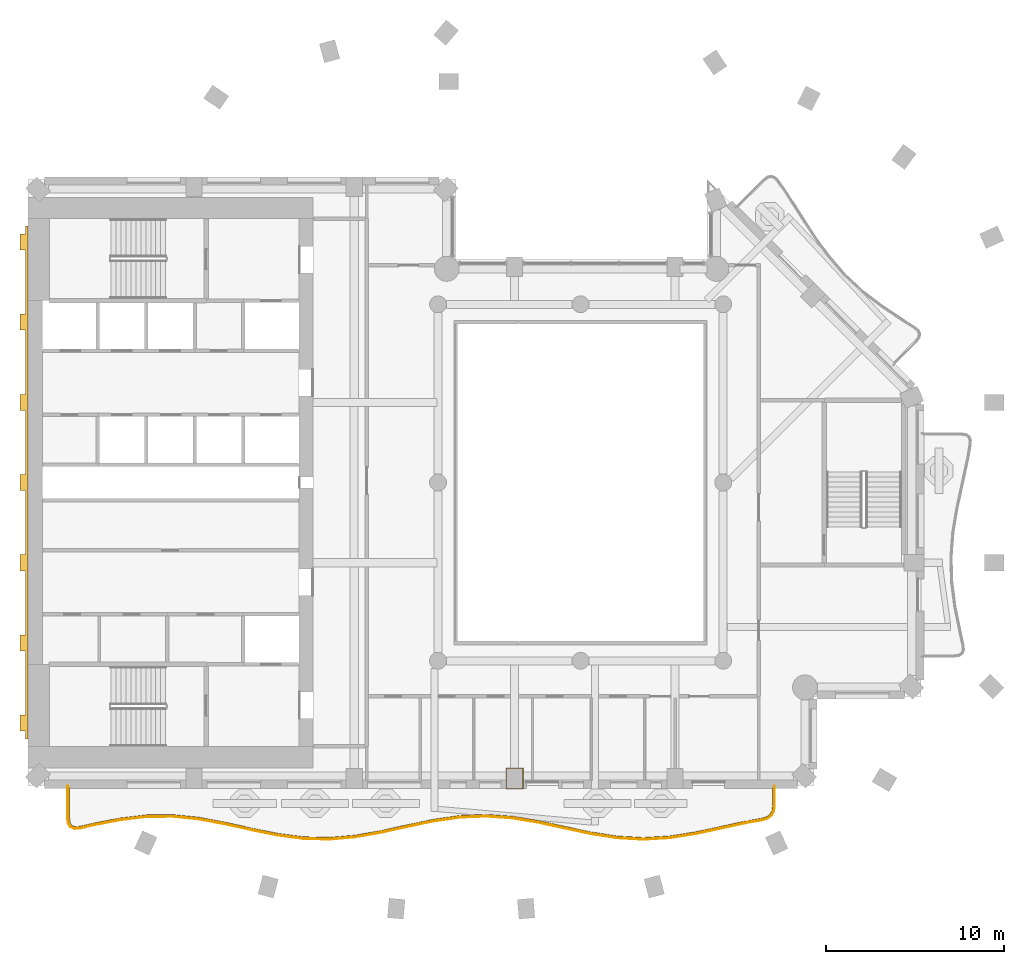
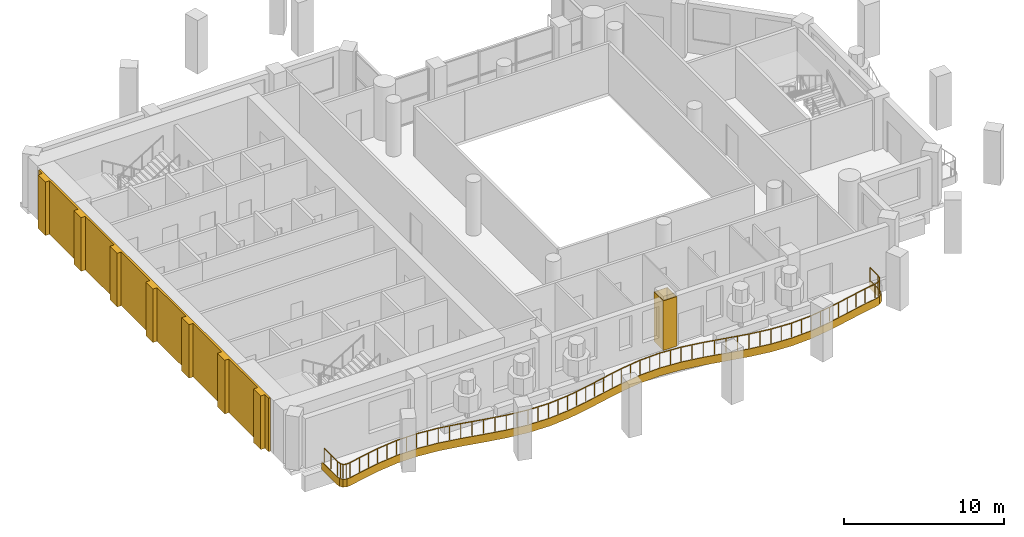
# One storey, part 11 of 15: 3 coverings, 1 railing.
"""IFC4 building model written with IfcOpenShell, lengths in metres."""

from ifc_helpers import new_model, si_unit, direction, frame, origin, origin_2d, place, context, subcontext, project, spatial, polyline, rectangle, outline, extrude, material, layer, layer_set, type_object, element, save


model = new_model("IFC4")

# Units and contexts
model_context = context("Model", 3, precision=1e-05, world=origin(), true_north=direction((0.0, 1.0)))
body_context = subcontext(model_context, "Body", "Model", "MODEL_VIEW")
ifc_project = project(units=[si_unit("LENGTHUNIT", "METRE"), si_unit("AREAUNIT", "SQUARE_METRE"), si_unit("VOLUMEUNIT", "CUBIC_METRE"), si_unit("PLANEANGLEUNIT", "RADIAN"), si_unit("MASSUNIT", "GRAM", prefix="KILO")], contexts=[model_context])

# Site, building, storey
site_placement = place(None, origin())
site = spatial("IfcSite", under=ifc_project, at=site_placement, CompositionType="ELEMENT")
building_placement = place(site_placement, origin())
building = spatial("IfcBuilding", under=site, at=building_placement, Name="Cypress Arch Tower", CompositionType="ELEMENT")
storey_placement = place(building_placement, frame((0.0, 0.0, 176.89990234375)))
storey = spatial("IfcBuildingStorey", under=building, at=storey_placement, Name="L38", CompositionType="ELEMENT", Elevation=176.89990234375)

# Covering
ifc_material_1 = material(Name="White powder-coated aluminium fascia", Category="aluminium")
ifc_layer_1 = layer(ifc_material_1, 0.050048828125)
ifc_layer_set_1 = layer_set([ifc_layer_1], Name="Balcony fascia BF50")
covering_type_1 = type_object("IfcCoveringType", Name="Balcony fascia BF50", PredefinedType="CLADDING", material=ifc_layer_set_1)
covering_1_placement = place(storey_placement, frame((0.0, 0.0, -0.599853515625)))
element("IfcCovering", 1, at=covering_1_placement, inside=storey, type_object=covering_type_1, Name="Balcony fascia L38-B01", PredefinedType="CLADDING", context=body_context, shape_type="SweptSolid", body=[
    extrude(outline(polyline([(11.89990234375, -18.1337890625), (11.85693359375, -18.44580078125), (11.723876953125, -18.692626953125), (11.502197265625, -18.8642578125), (11.20166015625, -18.957763671875), (10.392822265625, -19.091796875), (8.92724609375, -19.412353515625), (7.459228515625, -19.728515625), (5.98876953125, -19.959228515625), (4.516845703125, -20.044677734375), (3.044677734375, -19.962890625), (1.57421875, -19.735107421875), (0.10595703125, -19.419921875), (-1.359375, -19.0986328125), (-2.82275390625, -18.853271484375), (-4.2841796875, -18.74658203125), (-5.745361328125, -18.805419921875), (-7.2080078125, -19.014892578125), (-8.6728515625, -19.32177734375), (-10.14013671875, -19.647705078125), (-11.610107421875, -19.90869140625), (-13.081787109375, -20.037841796875), (-14.553955078125, -20.001220703125), (-16.02490234375, -19.808837890625), (-17.493896484375, -19.510009765625), (-18.9599609375, -19.181884765625), (-20.423828125, -18.908447265625), (-21.8857421875, -18.759521484375), (-23.346923828125, -18.77294921875), (-24.808837890625, -18.9453125), (-26.27294921875, -19.232666015625), (-27.08251953125, -19.414306640625), (-27.38623046875, -19.43798828125), (-27.61767578125, -19.34765625), (-27.756591796875, -19.1416015625), (-27.800048828125, -18.840087890625), (-27.800048828125, -17.0009765625), (-27.75, -17.0009765625), (-27.75, -18.83642578125), (-27.708740234375, -19.123046875), (-27.5849609375, -19.306640625), (-27.378662109375, -19.38720703125), (-27.090087890625, -19.36474609375), (-26.283447265625, -19.18359375), (-24.816650390625, -18.895751953125), (-23.35009765625, -18.722900390625), (-21.88330078125, -18.70947265625), (-20.416748046875, -18.859130859375), (-18.949951171875, -19.133056640625), (-17.4833984375, -19.461181640625), (-16.0166015625, -19.759521484375), (-14.550048828125, -19.951416015625), (-13.083251953125, -19.98779296875), (-11.61669921875, -19.859130859375), (-10.14990234375, -19.5986328125), (-8.683349609375, -19.27294921875), (-7.216552734375, -18.965576171875), (-5.75, -18.75537109375), (-4.283447265625, -18.696533203125), (-2.816650390625, -18.8037109375), (-1.35009765625, -19.049560546875), (0.11669921875, -19.37109375), (1.583251953125, -19.685791015625), (3.050048828125, -19.9130859375), (4.5166015625, -19.99462890625), (5.9833984375, -19.909423828125), (7.449951171875, -19.679443359375), (8.916748046875, -19.363525390625), (10.38330078125, -19.042724609375), (11.18994140625, -18.908935546875), (11.478759765625, -18.8193359375), (11.68505859375, -18.65966796875), (11.808837890625, -18.429931640625), (11.85009765625, -18.13037109375), (11.85009765625, -17.0009765625), (11.89990234375, -17.0009765625), (11.89990234375, -18.1337890625)])), origin(), (0.0, 0.0, 1.0), 0.599853515625),
])

# Railing
ifc_material_2 = material(Name="Powder-coated steel posts and rods, 100 mm clear between rods", Category="steel")
railing_type = type_object("IfcRailingType", Name="Balcony guard GR1100", PredefinedType="GUARDRAIL", material=ifc_material_2)
railing_placement = place(storey_placement, frame((11.800048828125, -17.14990234375, 0.0)))
element("IfcRailing", 2, at=railing_placement, inside=storey, type_object=railing_type, Name="Balcony guard L38-B01", PredefinedType="GUARDRAIL", context=body_context, shape_type="SweptSolid", body=[
    extrude(rectangle(XDim=0.050048828125, YDim=0.050048828125, at=origin_2d()), frame((0.0, 0.0, 1.0751953125), z_axis=(0.0, -1.0, 0.0), x_axis=(1.0, 0.0, 0.0)), (0.0, 0.0, 1.0), 0.97705078125),
    extrude(rectangle(XDim=0.050048828125, YDim=0.050048828125, at=origin_2d()), frame((0.0, -0.97705078125, 1.0751953125), z_axis=(-0.136352574754, -0.990660373366, 0.0), x_axis=(0.990660373366, -0.136352574754, 0.0)), (0.0, 0.0, 1.0), 0.2900390625),
    extrude(rectangle(XDim=0.050048828125, YDim=0.050048828125, at=origin_2d()), frame((-0.03955078125, -1.264404296875, 1.0751953125), z_axis=(-0.474945049581, -0.880015454341, 0.0), x_axis=(0.880015454341, -0.474945049581, 0.0)), (0.0, 0.0, 1.0), 0.240966796875),
    extrude(rectangle(XDim=0.050048828125, YDim=0.050048828125, at=origin_2d()), frame((-0.154052734375, -1.4765625, 1.0751953125), z_axis=(-0.790549812284, -0.61239774191, 0.0), x_axis=(0.61239774191, -0.790549812284, 0.0)), (0.0, 0.0, 1.0), 0.2412109375),
    extrude(rectangle(XDim=0.050048828125, YDim=0.050048828125, at=origin_2d()), frame((-0.3447265625, -1.624267578125, 1.0751953125), z_axis=(-0.955047693382, -0.296452194066, 0.0), x_axis=(0.296452194066, -0.955047693382, 0.0)), (0.0, 0.0, 1.0), 0.289794921875),
    extrude(rectangle(XDim=0.050048828125, YDim=0.050048828125, at=origin_2d()), frame((-0.62158203125, -1.710205078125, 1.0751953125), z_axis=(-0.986506940058, -0.163719446666, 0.0), x_axis=(0.163719446666, -0.986506940058, 0.0)), (0.0, 0.0, 1.0), 0.815673828125),
    extrude(rectangle(XDim=0.050048828125, YDim=0.050048828125, at=origin_2d()), frame((-1.42626953125, -1.84375, 1.0751953125), z_axis=(-0.976904257453, -0.213677494769, 0.0), x_axis=(0.213677494769, -0.976904257453, 0.0)), (0.0, 0.0, 1.0), 1.50244140625),
    extrude(rectangle(XDim=0.050048828125, YDim=0.050048828125, at=origin_2d()), frame((-2.89404296875, -2.164794921875, 1.0751953125), z_axis=(-0.977599317544, -0.210474640604, 0.0), x_axis=(0.210474640604, -0.977599317544, 0.0)), (0.0, 0.0, 1.0), 1.498779296875),
    extrude(rectangle(XDim=0.050048828125, YDim=0.050048828125, at=origin_2d()), frame((-4.359130859375, -2.480224609375, 1.0751953125), z_axis=(-0.987917546597, -0.154980389486, 0.0), x_axis=(0.154980389486, -0.987917546597, 0.0)), (0.0, 0.0, 1.0), 1.480712890625),
    extrude(rectangle(XDim=0.050048828125, YDim=0.050048828125, at=origin_2d()), frame((-5.822021484375, -2.709716796875, 1.0751953125), z_axis=(-0.998314394605, -0.058037656085, 0.0), x_axis=(0.058037656085, -0.998314394605, 0.0)), (0.0, 0.0, 1.0), 1.4638671875),
    extrude(rectangle(XDim=0.050048828125, YDim=0.050048828125, at=origin_2d()), frame((-7.283447265625, -2.794677734375, 1.0751953125), z_axis=(-0.998456244659, 0.055543924068, 0.0), x_axis=(-0.055543924068, -0.998456244659, 0.0)), (0.0, 0.0, 1.0), 1.463623046875),
    extrude(rectangle(XDim=0.050048828125, YDim=0.050048828125, at=origin_2d()), frame((-8.744873046875, -2.71337890625, 1.0751953125), z_axis=(-0.988214806358, 0.153073500301, 0.0), x_axis=(-0.153073500301, -0.988214806358, 0.0)), (0.0, 0.0, 1.0), 1.47998046875),
    extrude(rectangle(XDim=0.050048828125, YDim=0.050048828125, at=origin_2d()), frame((-10.20751953125, -2.48681640625, 1.0751953125), z_axis=(-0.977740388906, 0.209818330708, 0.0), x_axis=(-0.209818330708, -0.977740388906, 0.0)), (0.0, 0.0, 1.0), 1.498779296875),
    extrude(rectangle(XDim=0.050048828125, YDim=0.050048828125, at=origin_2d()), frame((-11.6728515625, -2.17236328125, 1.0751953125), z_axis=(-0.976802400131, 0.214142641945, 0.0), x_axis=(-0.214142641945, -0.976802400131, 0.0)), (0.0, 0.0, 1.0), 1.502685546875),
    extrude(rectangle(XDim=0.050048828125, YDim=0.050048828125, at=origin_2d()), frame((-13.140625, -1.8505859375, 1.0751953125), z_axis=(-0.986225210983, 0.165408080885, 0.0), x_axis=(-0.165408080885, -0.986225210983, 0.0)), (0.0, 0.0, 1.0), 1.49072265625),
    extrude(rectangle(XDim=0.050048828125, YDim=0.050048828125, at=origin_2d()), frame((-14.61083984375, -1.60400390625, 1.0751953125), z_axis=(-0.997346630857, 0.07279902415, 0.0), x_axis=(-0.07279902415, -0.997346630857, 0.0)), (0.0, 0.0, 1.0), 1.4755859375),
    extrude(rectangle(XDim=0.050048828125, YDim=0.050048828125, at=origin_2d()), frame((-16.08251953125, -1.49658203125, 1.0751953125), z_axis=(-0.999195655896, -0.040100389507, 0.0), x_axis=(0.040100389507, -0.999195655896, 0.0)), (0.0, 0.0, 1.0), 1.473388671875),
    extrude(rectangle(XDim=0.050048828125, YDim=0.050048828125, at=origin_2d()), frame((-17.5546875, -1.5556640625, 1.0751953125), z_axis=(-0.989893545922, -0.141812438601, 0.0), x_axis=(0.141812438601, -0.989893545922, 0.0)), (0.0, 0.0, 1.0), 1.48583984375),
    extrude(rectangle(XDim=0.050048828125, YDim=0.050048828125, at=origin_2d()), frame((-19.025390625, -1.766357421875, 1.0751953125), z_axis=(-0.97872380157, -0.205182163554, 0.0), x_axis=(0.205182163554, -0.97872380157, 0.0)), (0.0, 0.0, 1.0), 1.50048828125),
    extrude(rectangle(XDim=0.050048828125, YDim=0.050048828125, at=origin_2d()), frame((-20.493896484375, -2.07421875, 1.0751953125), z_axis=(-0.976236762029, -0.216706678399, 0.0), x_axis=(0.216706678399, -0.976236762029, 0.0)), (0.0, 0.0, 1.0), 1.501708984375),
    extrude(rectangle(XDim=0.050048828125, YDim=0.050048828125, at=origin_2d()), frame((-21.9599609375, -2.399658203125, 1.0751953125), z_axis=(-0.984579487517, -0.174937796831, 0.0), x_axis=(0.174937796831, -0.984579487517, 0.0)), (0.0, 0.0, 1.0), 1.486328125),
    extrude(rectangle(XDim=0.050048828125, YDim=0.050048828125, at=origin_2d()), frame((-23.42333984375, -2.65966796875, 1.0751953125), z_axis=(-0.99617726461, -0.087354779342, 0.0), x_axis=(0.087354779342, -0.99617726461, 0.0)), (0.0, 0.0, 1.0), 1.46728515625),
    extrude(rectangle(XDim=0.050048828125, YDim=0.050048828125, at=origin_2d()), frame((-24.885009765625, -2.787841796875, 1.0751953125), z_axis=(-0.999694391096, 0.02472093064, 0.0), x_axis=(-0.02472093064, -0.999694391096, 0.0)), (0.0, 0.0, 1.0), 1.461669921875),
    extrude(rectangle(XDim=0.050048828125, YDim=0.050048828125, at=origin_2d()), frame((-26.34619140625, -2.751708984375, 1.0751953125), z_axis=(-0.991543085213, 0.129777926345, 0.0), x_axis=(-0.129777926345, -0.991543085213, 0.0)), (0.0, 0.0, 1.0), 1.474853515625),
    extrude(rectangle(XDim=0.050048828125, YDim=0.050048828125, at=origin_2d()), frame((-27.80859375, -2.560302734375, 1.0751953125), z_axis=(-0.979934498881, 0.199319788035, 0.0), x_axis=(-0.199319788035, -0.979934498881, 0.0)), (0.0, 0.0, 1.0), 1.494384765625),
    extrude(rectangle(XDim=0.050048828125, YDim=0.050048828125, at=origin_2d()), frame((-29.27294921875, -2.262451171875, 1.0751953125), z_axis=(-0.975853474327, 0.218426181223, 0.0), x_axis=(-0.218426181223, -0.975853474327, 0.0)), (0.0, 0.0, 1.0), 1.50341796875),
    extrude(rectangle(XDim=0.050048828125, YDim=0.050048828125, at=origin_2d()), frame((-30.739990234375, -1.93408203125, 1.0751953125), z_axis=(-0.983006891233, 0.183568656878, 0.0), x_axis=(-0.183568656878, -0.983006891233, 0.0)), (0.0, 0.0, 1.0), 1.494873046875),
    extrude(rectangle(XDim=0.050048828125, YDim=0.050048828125, at=origin_2d()), frame((-32.20947265625, -1.65966796875, 1.0751953125), z_axis=(-0.9948524941, 0.101333681383, 0.0), x_axis=(-0.101333681383, -0.9948524941, 0.0)), (0.0, 0.0, 1.0), 1.479248046875),
    extrude(rectangle(XDim=0.050048828125, YDim=0.050048828125, at=origin_2d()), frame((-33.68115234375, -1.509765625, 1.0751953125), z_axis=(-0.999958405715, -0.009120681976, 0.0), x_axis=(0.009120681976, -0.999958405715, 0.0)), (0.0, 0.0, 1.0), 1.47216796875),
    extrude(rectangle(XDim=0.050048828125, YDim=0.050048828125, at=origin_2d()), frame((-35.1533203125, -1.523193359375, 1.0751953125), z_axis=(-0.993130340015, -0.117013365651, 0.0), x_axis=(0.117013365651, -0.993130340015, 0.0)), (0.0, 0.0, 1.0), 1.4814453125),
    extrude(rectangle(XDim=0.050048828125, YDim=0.050048828125, at=origin_2d()), frame((-36.62451171875, -1.696533203125, 1.0751953125), z_axis=(-0.981282948676, -0.192571479293, 0.0), x_axis=(0.192571479293, -0.981282948676, 0.0)), (0.0, 0.0, 1.0), 1.497314453125),
    extrude(rectangle(XDim=0.050048828125, YDim=0.050048828125, at=origin_2d()), frame((-38.09375, -1.98486328125, 1.0751953125), z_axis=(-0.975717544819, -0.219032583724, 0.0), x_axis=(0.219032583724, -0.975717544819, 0.0)), (0.0, 0.0, 1.0), 0.82373046875),
    extrude(rectangle(XDim=0.050048828125, YDim=0.050048828125, at=origin_2d()), frame((-38.8974609375, -2.165283203125, 1.0751953125), z_axis=(-0.997007254506, -0.077308049146, 0.0), x_axis=(0.077308049146, -0.997007254506, 0.0)), (0.0, 0.0, 1.0), 0.274658203125),
    extrude(rectangle(XDim=0.050048828125, YDim=0.050048828125, at=origin_2d()), frame((-39.17138671875, -2.1865234375, 1.0751953125), z_axis=(-0.931650298969, 0.363356189476, 0.0), x_axis=(-0.363356189476, -0.931650298969, 0.0)), (0.0, 0.0, 1.0), 0.194091796875),
    extrude(rectangle(XDim=0.050048828125, YDim=0.050048828125, at=origin_2d()), frame((-39.352294921875, -2.115966796875, 1.0751953125), z_axis=(-0.559041255782, 0.829139840036, 0.0), x_axis=(-0.829139840036, -0.559041255782, 0.0)), (0.0, 0.0, 1.0), 0.1943359375),
    extrude(rectangle(XDim=0.050048828125, YDim=0.050048828125, at=origin_2d()), frame((-39.4609375, -1.954833984375, 1.0751953125), z_axis=(-0.142167696448, 0.989842586519, 0.0), x_axis=(-0.989842586519, -0.142167696448, 0.0)), (0.0, 0.0, 1.0), 0.274658203125),
    extrude(rectangle(XDim=0.050048828125, YDim=0.050048828125, at=origin_2d()), frame((-39.5, -1.682861328125, 1.0751953125), z_axis=(0.0, 1.0, 0.0), x_axis=(-1.0, 0.0, 0.0)), (0.0, 0.0, 1.0), 1.682861328125),
    extrude(rectangle(XDim=0.0400390625, YDim=0.0400390625, at=origin_2d()), origin(), (0.0, 0.0, 1.0), 1.050048828125),
    extrude(rectangle(XDim=0.0400390625, YDim=0.0400390625, at=origin_2d()), frame((0.0, -0.97705078125, 0.0)), (0.0, 0.0, 1.0), 1.050048828125),
    extrude(rectangle(XDim=0.0400390625, YDim=0.0400390625, at=origin_2d()), frame((-0.03955078125, -1.264404296875, 0.0)), (0.0, 0.0, 1.0), 1.050048828125),
    extrude(rectangle(XDim=0.0400390625, YDim=0.0400390625, at=origin_2d()), frame((-0.154052734375, -1.4765625, 0.0)), (0.0, 0.0, 1.0), 1.050048828125),
    extrude(rectangle(XDim=0.0400390625, YDim=0.0400390625, at=origin_2d()), frame((-0.3447265625, -1.624267578125, 0.0)), (0.0, 0.0, 1.0), 1.050048828125),
    extrude(rectangle(XDim=0.0400390625, YDim=0.0400390625, at=origin_2d()), frame((-0.62158203125, -1.710205078125, 0.0)), (0.0, 0.0, 1.0), 1.050048828125),
    extrude(rectangle(XDim=0.0400390625, YDim=0.0400390625, at=origin_2d()), frame((-1.42626953125, -1.84375, 0.0)), (0.0, 0.0, 1.0), 1.050048828125),
    extrude(rectangle(XDim=0.0400390625, YDim=0.0400390625, at=origin_2d()), frame((-2.16015625, -2.00439453125, 0.0)), (0.0, 0.0, 1.0), 1.050048828125),
    extrude(rectangle(XDim=0.0400390625, YDim=0.0400390625, at=origin_2d()), frame((-2.89404296875, -2.164794921875, 0.0)), (0.0, 0.0, 1.0), 1.050048828125),
    extrude(rectangle(XDim=0.0400390625, YDim=0.0400390625, at=origin_2d()), frame((-3.62646484375, -2.322509765625, 0.0)), (0.0, 0.0, 1.0), 1.050048828125),
    extrude(rectangle(XDim=0.0400390625, YDim=0.0400390625, at=origin_2d()), frame((-4.359130859375, -2.480224609375, 0.0)), (0.0, 0.0, 1.0), 1.050048828125),
    extrude(rectangle(XDim=0.0400390625, YDim=0.0400390625, at=origin_2d()), frame((-5.090576171875, -2.594970703125, 0.0)), (0.0, 0.0, 1.0), 1.050048828125),
    extrude(rectangle(XDim=0.0400390625, YDim=0.0400390625, at=origin_2d()), frame((-5.822021484375, -2.709716796875, 0.0)), (0.0, 0.0, 1.0), 1.050048828125),
    extrude(rectangle(XDim=0.0400390625, YDim=0.0400390625, at=origin_2d()), frame((-6.552734375, -2.752197265625, 0.0)), (0.0, 0.0, 1.0), 1.050048828125),
    extrude(rectangle(XDim=0.0400390625, YDim=0.0400390625, at=origin_2d()), frame((-7.283447265625, -2.794677734375, 0.0)), (0.0, 0.0, 1.0), 1.050048828125),
    extrude(rectangle(XDim=0.0400390625, YDim=0.0400390625, at=origin_2d()), frame((-8.01416015625, -2.75390625, 0.0)), (0.0, 0.0, 1.0), 1.050048828125),
    extrude(rectangle(XDim=0.0400390625, YDim=0.0400390625, at=origin_2d()), frame((-8.744873046875, -2.71337890625, 0.0)), (0.0, 0.0, 1.0), 1.050048828125),
    extrude(rectangle(XDim=0.0400390625, YDim=0.0400390625, at=origin_2d()), frame((-9.47607421875, -2.60009765625, 0.0)), (0.0, 0.0, 1.0), 1.050048828125),
    extrude(rectangle(XDim=0.0400390625, YDim=0.0400390625, at=origin_2d()), frame((-10.20751953125, -2.48681640625, 0.0)), (0.0, 0.0, 1.0), 1.050048828125),
    extrude(rectangle(XDim=0.0400390625, YDim=0.0400390625, at=origin_2d()), frame((-10.940185546875, -2.32958984375, 0.0)), (0.0, 0.0, 1.0), 1.050048828125),
    extrude(rectangle(XDim=0.0400390625, YDim=0.0400390625, at=origin_2d()), frame((-11.6728515625, -2.17236328125, 0.0)), (0.0, 0.0, 1.0), 1.050048828125),
    extrude(rectangle(XDim=0.0400390625, YDim=0.0400390625, at=origin_2d()), frame((-12.40673828125, -2.011474609375, 0.0)), (0.0, 0.0, 1.0), 1.050048828125),
    extrude(rectangle(XDim=0.0400390625, YDim=0.0400390625, at=origin_2d()), frame((-13.140625, -1.8505859375, 0.0)), (0.0, 0.0, 1.0), 1.050048828125),
    extrude(rectangle(XDim=0.0400390625, YDim=0.0400390625, at=origin_2d()), frame((-13.875732421875, -1.727294921875, 0.0)), (0.0, 0.0, 1.0), 1.050048828125),
    extrude(rectangle(XDim=0.0400390625, YDim=0.0400390625, at=origin_2d()), frame((-14.61083984375, -1.60400390625, 0.0)), (0.0, 0.0, 1.0), 1.050048828125),
    extrude(rectangle(XDim=0.0400390625, YDim=0.0400390625, at=origin_2d()), frame((-15.3466796875, -1.55029296875, 0.0)), (0.0, 0.0, 1.0), 1.050048828125),
    extrude(rectangle(XDim=0.0400390625, YDim=0.0400390625, at=origin_2d()), frame((-16.08251953125, -1.49658203125, 0.0)), (0.0, 0.0, 1.0), 1.050048828125),
    extrude(rectangle(XDim=0.0400390625, YDim=0.0400390625, at=origin_2d()), frame((-16.818603515625, -1.526123046875, 0.0)), (0.0, 0.0, 1.0), 1.050048828125),
    extrude(rectangle(XDim=0.0400390625, YDim=0.0400390625, at=origin_2d()), frame((-17.5546875, -1.5556640625, 0.0)), (0.0, 0.0, 1.0), 1.050048828125),
    extrude(rectangle(XDim=0.0400390625, YDim=0.0400390625, at=origin_2d()), frame((-18.2900390625, -1.6611328125, 0.0)), (0.0, 0.0, 1.0), 1.050048828125),
    extrude(rectangle(XDim=0.0400390625, YDim=0.0400390625, at=origin_2d()), frame((-19.025390625, -1.766357421875, 0.0)), (0.0, 0.0, 1.0), 1.050048828125),
    extrude(rectangle(XDim=0.0400390625, YDim=0.0400390625, at=origin_2d()), frame((-19.759765625, -1.92041015625, 0.0)), (0.0, 0.0, 1.0), 1.050048828125),
    extrude(rectangle(XDim=0.0400390625, YDim=0.0400390625, at=origin_2d()), frame((-20.493896484375, -2.07421875, 0.0)), (0.0, 0.0, 1.0), 1.050048828125),
    extrude(rectangle(XDim=0.0400390625, YDim=0.0400390625, at=origin_2d()), frame((-21.22705078125, -2.23681640625, 0.0)), (0.0, 0.0, 1.0), 1.050048828125),
    extrude(rectangle(XDim=0.0400390625, YDim=0.0400390625, at=origin_2d()), frame((-21.9599609375, -2.399658203125, 0.0)), (0.0, 0.0, 1.0), 1.050048828125),
    extrude(rectangle(XDim=0.0400390625, YDim=0.0400390625, at=origin_2d()), frame((-22.691650390625, -2.52978515625, 0.0)), (0.0, 0.0, 1.0), 1.050048828125),
    extrude(rectangle(XDim=0.0400390625, YDim=0.0400390625, at=origin_2d()), frame((-23.42333984375, -2.65966796875, 0.0)), (0.0, 0.0, 1.0), 1.050048828125),
    extrude(rectangle(XDim=0.0400390625, YDim=0.0400390625, at=origin_2d()), frame((-24.154296875, -2.7236328125, 0.0)), (0.0, 0.0, 1.0), 1.050048828125),
    extrude(rectangle(XDim=0.0400390625, YDim=0.0400390625, at=origin_2d()), frame((-24.885009765625, -2.787841796875, 0.0)), (0.0, 0.0, 1.0), 1.050048828125),
    extrude(rectangle(XDim=0.0400390625, YDim=0.0400390625, at=origin_2d()), frame((-25.61572265625, -2.769775390625, 0.0)), (0.0, 0.0, 1.0), 1.050048828125),
    extrude(rectangle(XDim=0.0400390625, YDim=0.0400390625, at=origin_2d()), frame((-26.34619140625, -2.751708984375, 0.0)), (0.0, 0.0, 1.0), 1.050048828125),
    extrude(rectangle(XDim=0.0400390625, YDim=0.0400390625, at=origin_2d()), frame((-27.077392578125, -2.656005859375, 0.0)), (0.0, 0.0, 1.0), 1.050048828125),
    extrude(rectangle(XDim=0.0400390625, YDim=0.0400390625, at=origin_2d()), frame((-27.80859375, -2.560302734375, 0.0)), (0.0, 0.0, 1.0), 1.050048828125),
    extrude(rectangle(XDim=0.0400390625, YDim=0.0400390625, at=origin_2d()), frame((-28.540771484375, -2.411376953125, 0.0)), (0.0, 0.0, 1.0), 1.050048828125),
    extrude(rectangle(XDim=0.0400390625, YDim=0.0400390625, at=origin_2d()), frame((-29.27294921875, -2.262451171875, 0.0)), (0.0, 0.0, 1.0), 1.050048828125),
    extrude(rectangle(XDim=0.0400390625, YDim=0.0400390625, at=origin_2d()), frame((-30.00634765625, -2.09814453125, 0.0)), (0.0, 0.0, 1.0), 1.050048828125),
    extrude(rectangle(XDim=0.0400390625, YDim=0.0400390625, at=origin_2d()), frame((-30.739990234375, -1.93408203125, 0.0)), (0.0, 0.0, 1.0), 1.050048828125),
    extrude(rectangle(XDim=0.0400390625, YDim=0.0400390625, at=origin_2d()), frame((-31.474609375, -1.796875, 0.0)), (0.0, 0.0, 1.0), 1.050048828125),
    extrude(rectangle(XDim=0.0400390625, YDim=0.0400390625, at=origin_2d()), frame((-32.20947265625, -1.65966796875, 0.0)), (0.0, 0.0, 1.0), 1.050048828125),
    extrude(rectangle(XDim=0.0400390625, YDim=0.0400390625, at=origin_2d()), frame((-32.9453125, -1.584716796875, 0.0)), (0.0, 0.0, 1.0), 1.050048828125),
    extrude(rectangle(XDim=0.0400390625, YDim=0.0400390625, at=origin_2d()), frame((-33.68115234375, -1.509765625, 0.0)), (0.0, 0.0, 1.0), 1.050048828125),
    extrude(rectangle(XDim=0.0400390625, YDim=0.0400390625, at=origin_2d()), frame((-34.417236328125, -1.5166015625, 0.0)), (0.0, 0.0, 1.0), 1.050048828125),
    extrude(rectangle(XDim=0.0400390625, YDim=0.0400390625, at=origin_2d()), frame((-35.1533203125, -1.523193359375, 0.0)), (0.0, 0.0, 1.0), 1.050048828125),
    extrude(rectangle(XDim=0.0400390625, YDim=0.0400390625, at=origin_2d()), frame((-35.888916015625, -1.60986328125, 0.0)), (0.0, 0.0, 1.0), 1.050048828125),
    extrude(rectangle(XDim=0.0400390625, YDim=0.0400390625, at=origin_2d()), frame((-36.62451171875, -1.696533203125, 0.0)), (0.0, 0.0, 1.0), 1.050048828125),
    extrude(rectangle(XDim=0.0400390625, YDim=0.0400390625, at=origin_2d()), frame((-37.359130859375, -1.8408203125, 0.0)), (0.0, 0.0, 1.0), 1.050048828125),
    extrude(rectangle(XDim=0.0400390625, YDim=0.0400390625, at=origin_2d()), frame((-38.09375, -1.98486328125, 0.0)), (0.0, 0.0, 1.0), 1.050048828125),
    extrude(rectangle(XDim=0.0400390625, YDim=0.0400390625, at=origin_2d()), frame((-38.8974609375, -2.165283203125, 0.0)), (0.0, 0.0, 1.0), 1.050048828125),
    extrude(rectangle(XDim=0.0400390625, YDim=0.0400390625, at=origin_2d()), frame((-39.17138671875, -2.1865234375, 0.0)), (0.0, 0.0, 1.0), 1.050048828125),
    extrude(rectangle(XDim=0.0400390625, YDim=0.0400390625, at=origin_2d()), frame((-39.352294921875, -2.115966796875, 0.0)), (0.0, 0.0, 1.0), 1.050048828125),
    extrude(rectangle(XDim=0.0400390625, YDim=0.0400390625, at=origin_2d()), frame((-39.4609375, -1.954833984375, 0.0)), (0.0, 0.0, 1.0), 1.050048828125),
    extrude(rectangle(XDim=0.0400390625, YDim=0.0400390625, at=origin_2d()), frame((-39.5, -1.682861328125, 0.0)), (0.0, 0.0, 1.0), 1.050048828125),
    extrude(rectangle(XDim=0.0400390625, YDim=0.0400390625, at=origin_2d()), frame((-39.5, -0.84130859375, 0.0)), (0.0, 0.0, 1.0), 1.050048828125),
    extrude(rectangle(XDim=0.0400390625, YDim=0.0400390625, at=origin_2d()), frame((-39.5, 0.0, 0.0)), (0.0, 0.0, 1.0), 1.050048828125),
])

# Coverings
ifc_material_3 = material(Name="Painted plasterboard column casing")
ifc_layer_2 = layer(ifc_material_3, 0.0400390625)
ifc_layer_set_2 = layer_set([ifc_layer_2], Name="Column casing CK40")
covering_type_2 = type_object("IfcCoveringType", Name="Column casing CK40", PredefinedType="CLADDING", material=ifc_layer_set_2)
covering_2_placement = place(storey_placement, origin())
element("IfcCovering", 3, at=covering_2_placement, inside=storey, type_object=covering_type_2, Name="Column casing L38 CB04", PredefinedType="CLADDING", context=body_context, shape_type="SweptSolid", body=[
    extrude(outline(polyline([(-3.18994140625, -17.18994140625), (-3.18994140625, -16.010009765625), (-2.2099609375, -16.010009765625), (-2.2099609375, -17.18994140625), (-3.18994140625, -17.18994140625)]), holes=[polyline([(-3.14990234375, -17.14990234375), (-2.25, -17.14990234375), (-2.25, -16.050048828125), (-3.14990234375, -16.050048828125), (-3.14990234375, -17.14990234375)])]), origin(), (0.0, 0.0, 1.0), 3.800048828125),
])
ifc_material_4 = material(Name="Brick (red buff blend)", Category="masonry")
ifc_layer_3 = layer(ifc_material_4, 0.449951171875)
ifc_layer_set_3 = layer_set([ifc_layer_3], Name="West face brick piers WP450")
covering_type_3 = type_object("IfcCoveringType", Name="West face brick piers WP450", PredefinedType="CLADDING", material=ifc_layer_set_3)
covering_3_placement = place(storey_placement, origin())
element("IfcCovering", 4, at=covering_3_placement, inside=storey, type_object=covering_type_3, Name="West face brick piers L38", PredefinedType="CLADDING", context=body_context, shape_type="SweptSolid", body=[
    extrude(outline(polyline([(-30.14990234375, -13.050048828125), (-30.14990234375, -9.449951171875), (-30.449951171875, -9.449951171875), (-30.449951171875, -8.550048828125), (-30.14990234375, -8.550048828125), (-30.14990234375, -4.949951171875), (-30.449951171875, -4.949951171875), (-30.449951171875, -4.050048828125), (-30.14990234375, -4.050048828125), (-30.14990234375, -0.449951171875), (-30.449951171875, -0.449951171875), (-30.449951171875, 0.449951171875), (-30.14990234375, 0.449951171875), (-30.14990234375, 4.050048828125), (-30.449951171875, 4.050048828125), (-30.449951171875, 4.949951171875), (-30.14990234375, 4.949951171875), (-30.14990234375, 8.550048828125), (-30.449951171875, 8.550048828125), (-30.449951171875, 9.449951171875), (-30.14990234375, 9.449951171875), (-30.14990234375, 13.050048828125), (-30.449951171875, 13.050048828125), (-30.449951171875, 13.949951171875), (-30.14990234375, 13.949951171875), (-30.14990234375, 14.39990234375), (-30.0, 14.39990234375), (-30.0, -14.39990234375), (-30.14990234375, -14.39990234375), (-30.14990234375, -13.949951171875), (-30.449951171875, -13.949951171875), (-30.449951171875, -13.050048828125), (-30.14990234375, -13.050048828125)])), origin(), (0.0, 0.0, 1.0), 4.10009765625),
])

save(model, "model.ifc")
